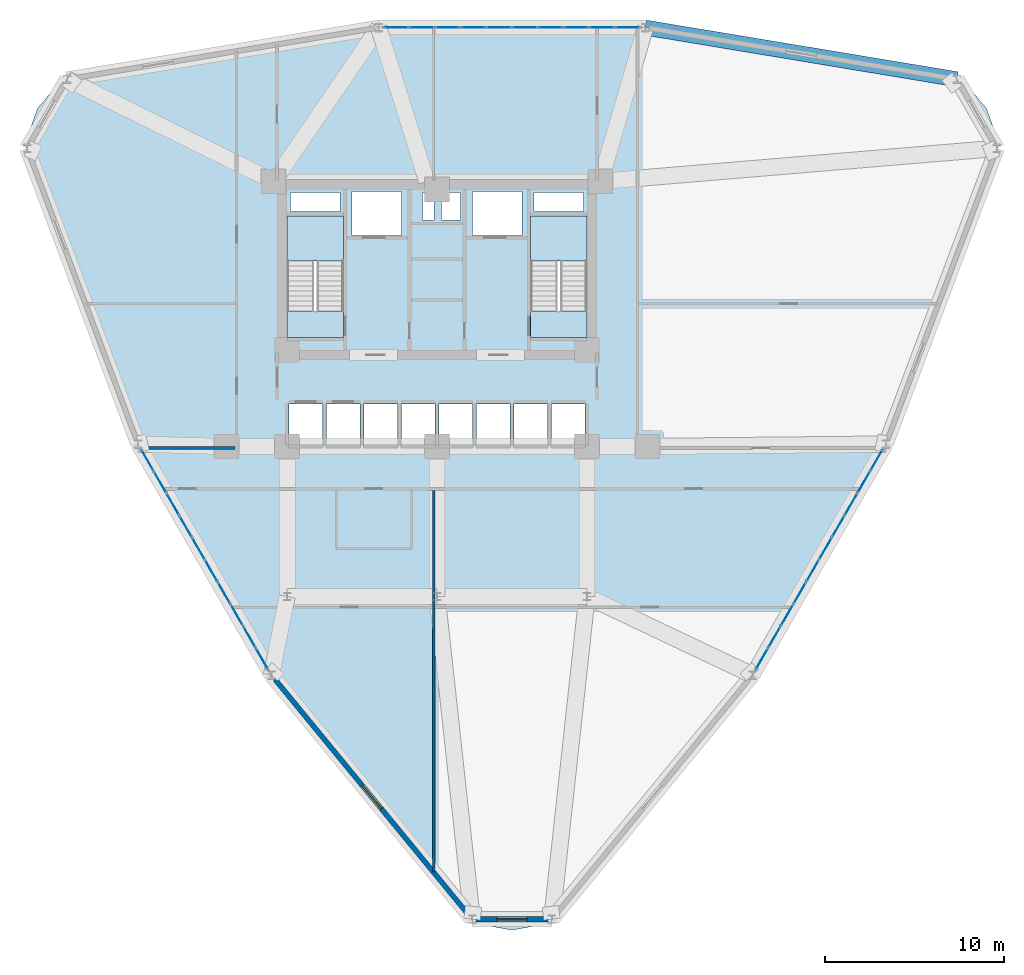
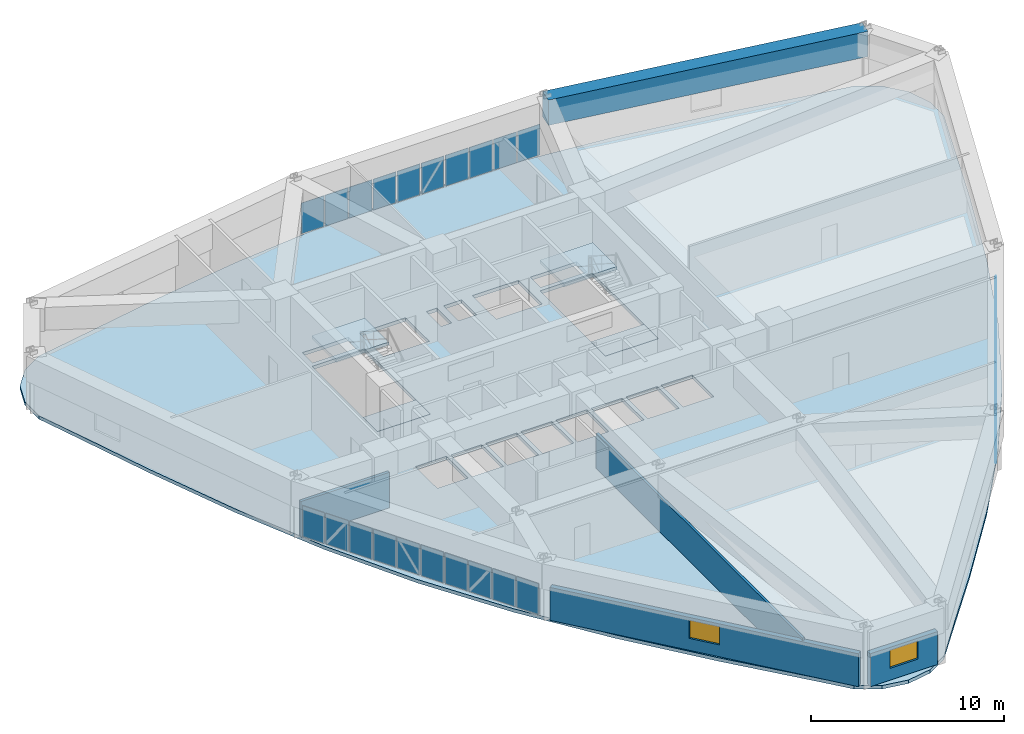
# One storey, part 12 of 17: 30 plates, 5 slabs, 4 walls, 2 windows, 1 beam, 2 openings, 5 elements without a shape of their own.
"""IFC4 building model written with IfcOpenShell, lengths in metres."""

from ifc_helpers import new_model, si_unit, derived_unit, direction, frame, frame_2d, origin, origin_2d, place, context, subcontext, project, spatial, polyline, rectangle, outline, extrude, source, transform, mapped, material, layer, layer_set, material_profile, profile_set, type_object, element, fill, aggregate, save


model = new_model("IFC4")

# Units and contexts
model_context = context("Model", 3, precision=1e-05, world=origin(), true_north=direction((0.0, 1.0)))
body_context = subcontext(model_context, "Body", "Model", "MODEL_VIEW")
ifc_project = project(units=[si_unit("LENGTHUNIT", "METRE"), si_unit("AREAUNIT", "SQUARE_METRE"), si_unit("VOLUMEUNIT", "CUBIC_METRE"), si_unit("PLANEANGLEUNIT", "RADIAN"), si_unit("MASSUNIT", "GRAM", prefix="KILO"), derived_unit("THERMALTRANSMITTANCEUNIT", [(si_unit("POWERUNIT", "WATT"), 1), (si_unit("LENGTHUNIT", "METRE"), -2), (si_unit("THERMODYNAMICTEMPERATUREUNIT", "KELVIN"), -1)])], contexts=[model_context])

# Site, building, storey
site_placement = place(None, origin())
site = spatial("IfcSite", under=ifc_project, at=site_placement, CompositionType="ELEMENT")
building_placement = place(site_placement, origin())
building = spatial("IfcBuilding", under=site, at=building_placement, Name="Korsvarv Bourse and Concert Hall", CompositionType="ELEMENT")
storey_placement = place(building_placement, frame((0.0, 0.0, 83.39990234375)))
storey = spatial("IfcBuildingStorey", under=building, at=storey_placement, Name="L20", CompositionType="ELEMENT", Elevation=83.39990234375)

# Beam
ifc_material_1 = material(Name="Concrete C55/67", Category="concrete")
ifc_material_profile = material_profile(ifc_material_1, rectangle(XDim=0.85009765625, YDim=1.60009765625, at=origin_2d()), Name="RC-BM 850x1600")
ifc_profile_set = profile_set([ifc_material_profile], Name="Concrete C55/67")
beam_type = type_object("IfcBeamType", Name="BM-TR1B", PredefinedType="BEAM", material=ifc_profile_set)
shared_shape_1 = source(origin(), body_context, "Body", "SweptSolid", [
    extrude(rectangle(XDim=0.85009765625, YDim=1.60009765625, at=origin_2d()), origin(), (0.0, 0.0, 1.0), 17.69775390625),
])
beam_placement = place(storey_placement, frame((65.1279296875, 52.971923828125, 2.880126953125), z_axis=(-0.986522993276, 0.163622687109, 0.0), x_axis=(-0.163622687109, -0.986522993276, 0.0)))
element("IfcBeam", 1, at=beam_placement, inside=storey, type_object=beam_type, Name="L20 beam B-TR2", PredefinedType="BEAM", context=body_context, shape_type="MappedRepresentation", body=[
    mapped(shared_shape_1, transform((0.0, 0.0, 0.0), scale=1.0)),
])

# Slabs
ifc_material_2 = material(Name="Precast concrete C45/55", Category="concrete")
ifc_layer_1 = layer(ifc_material_2, 0.199951171875)
ifc_layer_set_1 = layer_set([ifc_layer_1], Name="Precast concrete C45/55")
slab_type_1 = type_object("IfcSlabType", Name="SLB-FLND-T", PredefinedType="LANDING", material=ifc_layer_set_1)
slab_1_placement = place(storey_placement, frame((0.0, 0.0, -0.199951171875)))
element("IfcSlab", 2, at=slab_1_placement, inside=storey, type_object=slab_type_1, Name="L20 Stair ST-T1 Floor Landing Slab", PredefinedType="LANDING", context=body_context, shape_type="SweptSolid", body=[
    extrude(outline(polyline([(30.760009765625, 38.5), (30.760009765625, 40.0), (27.60009765625, 40.0), (27.60009765625, 38.5), (30.760009765625, 38.5)])), origin(), (0.0, 0.0, 1.0), 0.199951171875),
])
slab_2_placement = place(storey_placement, frame((0.0, 0.0, -0.199951171875)))
element("IfcSlab", 3, at=slab_2_placement, inside=storey, type_object=slab_type_1, Name="L20 Stair ST-T2 Floor Landing Slab", PredefinedType="LANDING", context=body_context, shape_type="SweptSolid", body=[
    extrude(outline(polyline([(44.39990234375, 38.5), (44.39990234375, 40.0), (41.239990234375, 40.0), (41.239990234375, 38.5), (44.39990234375, 38.5)])), origin(), (0.0, 0.0, 1.0), 0.199951171875),
])

# Stair, slab
stair_type = type_object("IfcStairType", Name="STR-TYPE-03", PredefinedType="HALF_TURN_STAIR", material=ifc_material_2)
stair_1_placement = place(storey_placement, origin())
stair_1 = element("IfcStair", 4, at=stair_1_placement, inside=storey, type_object=stair_type, Name="L20 Tower West Exit Stair ST-T1", PredefinedType="HALF_TURN_STAIR")
ifc_layer_2 = layer(ifc_material_2, 0.199951171875)
ifc_layer_set_2 = layer_set([ifc_layer_2], Name="Precast concrete C45/55")
slab_type_2 = type_object("IfcSlabType", Name="SLB-ST-LND", PredefinedType="LANDING", material=ifc_layer_set_2)
slab_3_placement = place(storey_placement, frame((0.0, 0.0, 1.75)))
slab_3 = element("IfcSlab", 5, at=slab_3_placement, type_object=slab_type_2, Name="ST-T1 landing 1", PredefinedType="LANDING", context=body_context, shape_type="SweptSolid", body=[
    extrude(outline(polyline([(30.760009765625, 42.800048828125), (30.760009765625, 45.300048828125), (27.60009765625, 45.300048828125), (27.60009765625, 42.800048828125), (30.760009765625, 42.800048828125)])), origin(), (0.0, 0.0, 1.0), 0.2001953125),
])
aggregate(stair_1, [slab_3])

stair_2_placement = place(storey_placement, origin())
stair_2 = element("IfcStair", 6, at=stair_2_placement, inside=storey, type_object=stair_type, Name="L20 Tower East Exit Stair ST-T2", PredefinedType="HALF_TURN_STAIR")
slab_4_placement = place(storey_placement, frame((0.0, 0.0, 1.75)))
slab_4 = element("IfcSlab", 7, at=slab_4_placement, type_object=slab_type_2, Name="ST-T2 landing 1", PredefinedType="LANDING", context=body_context, shape_type="SweptSolid", body=[
    extrude(outline(polyline([(44.39990234375, 42.800048828125), (44.39990234375, 45.300048828125), (41.239990234375, 45.300048828125), (41.239990234375, 42.800048828125), (44.39990234375, 42.800048828125)])), origin(), (0.0, 0.0, 1.0), 0.2001953125),
])
aggregate(stair_2, [slab_4])

# Slab
ifc_material_3 = material(Name="Concrete C45/55", Category="concrete")
ifc_layer_3 = layer(ifc_material_3, 0.219970703125)
ifc_layer_set_3 = layer_set([ifc_layer_3], Name="Concrete C45/55")
slab_type_3 = type_object("IfcSlabType", Name="SLB-TW1", PredefinedType="FLOOR", material=ifc_layer_set_3)
slab_5_placement = place(storey_placement, frame((0.0, 0.0, -0.219970703125)))
element("IfcSlab", 8, at=slab_5_placement, inside=storey, type_object=slab_type_3, Name="L20 tower structural floor slab", PredefinedType="FLOOR", context=body_context, shape_type="SweptSolid", body=[
    extrude(outline(polyline([(66.72119140625, 46.99462890625), (64.767822265625, 41.513427734375), (62.68408203125, 36.133056640625), (60.353271484375, 30.916015625), (57.695556640625, 25.89892578125), (54.679443359375, 21.0888671875), (51.326904296875, 16.461669921875), (47.708984375, 11.966796875), (43.939208984375, 7.53466796875), (43.935302734375, 7.530029296875), (42.8984375, 6.29443359375), (41.6357421875, 5.5654296875), (40.199951171875, 5.312255859375), (38.76416015625, 5.5654296875), (37.501708984375, 6.29443359375), (36.464599609375, 7.530029296875), (36.4609375, 7.53466796875), (32.69091796875, 11.966796875), (29.0732421875, 16.461669921875), (25.720458984375, 21.0888671875), (22.70458984375, 25.89892578125), (20.046875, 30.916015625), (17.7158203125, 36.133056640625), (15.632080078125, 41.513427734375), (13.6787109375, 46.99462890625), (13.6767578125, 47.000244140625), (13.125, 48.51611328125), (13.125, 49.973876953125), (13.623779296875, 51.34375), (14.560791015625, 52.460693359375), (15.823486328125, 53.189697265625), (17.412109375, 53.4697265625), (17.417724609375, 53.470703125), (23.141357421875, 54.51953125), (28.842529296875, 55.4052734375), (34.5263671875, 55.995361328125), (40.199951171875, 56.201904296875), (45.873779296875, 55.995361328125), (51.557373046875, 55.4052734375), (57.2587890625, 54.51953125), (62.982177734375, 53.470703125), (62.988037109375, 53.4697265625), (64.57666015625, 53.189697265625), (65.839111328125, 52.460693359375), (66.7763671875, 51.34375), (67.27490234375, 49.973876953125), (67.27490234375, 48.51611328125), (66.723388671875, 47.000244140625), (66.72119140625, 46.99462890625)]), holes=[polyline([(30.760009765625, 38.5), (30.760009765625, 45.300048828125), (27.60009765625, 45.300048828125), (27.60009765625, 38.5), (30.760009765625, 38.5)]), polyline([(44.39990234375, 38.5), (44.39990234375, 45.300048828125), (41.239990234375, 45.300048828125), (41.239990234375, 38.5), (44.39990234375, 38.5)]), polyline([(31.239990234375, 44.219970703125), (34.0, 44.219970703125), (34.0, 46.679931640625), (31.239990234375, 46.679931640625), (31.239990234375, 44.219970703125)]), polyline([(38.0, 44.219970703125), (40.760009765625, 44.219970703125), (40.760009765625, 46.679931640625), (38.0, 46.679931640625), (38.0, 44.219970703125)]), polyline([(27.719970703125, 32.52001953125), (29.580078125, 32.52001953125), (29.580078125, 34.780029296875), (27.719970703125, 34.780029296875), (27.719970703125, 32.52001953125)]), polyline([(29.820068359375, 32.52001953125), (31.679931640625, 32.52001953125), (31.679931640625, 34.780029296875), (29.820068359375, 34.780029296875), (29.820068359375, 32.52001953125)]), polyline([(31.919921875, 32.52001953125), (33.780029296875, 32.52001953125), (33.780029296875, 34.780029296875), (31.919921875, 34.780029296875), (31.919921875, 32.52001953125)]), polyline([(34.02001953125, 32.52001953125), (35.8798828125, 32.52001953125), (35.8798828125, 34.780029296875), (34.02001953125, 34.780029296875), (34.02001953125, 32.52001953125)]), polyline([(36.1201171875, 32.52001953125), (37.97998046875, 32.52001953125), (37.97998046875, 34.780029296875), (36.1201171875, 34.780029296875), (36.1201171875, 32.52001953125)]), polyline([(38.219970703125, 32.52001953125), (40.080078125, 32.52001953125), (40.080078125, 34.780029296875), (38.219970703125, 34.780029296875), (38.219970703125, 32.52001953125)]), polyline([(40.320068359375, 32.52001953125), (42.179931640625, 32.52001953125), (42.179931640625, 34.780029296875), (40.320068359375, 34.780029296875), (40.320068359375, 32.52001953125)]), polyline([(42.419921875, 32.52001953125), (44.280029296875, 32.52001953125), (44.280029296875, 34.780029296875), (42.419921875, 34.780029296875), (42.419921875, 32.52001953125)]), polyline([(27.800048828125, 45.56005859375), (30.56005859375, 45.56005859375), (30.56005859375, 46.6201171875), (27.800048828125, 46.6201171875), (27.800048828125, 45.56005859375)]), polyline([(41.43994140625, 45.56005859375), (44.199951171875, 45.56005859375), (44.199951171875, 46.6201171875), (41.43994140625, 46.6201171875), (41.43994140625, 45.56005859375)]), polyline([(35.199951171875, 45.080078125), (35.840087890625, 45.080078125), (35.840087890625, 46.6201171875), (35.199951171875, 46.6201171875), (35.199951171875, 45.080078125)]), polyline([(36.239990234375, 45.080078125), (37.320068359375, 45.080078125), (37.320068359375, 46.6201171875), (36.239990234375, 46.6201171875), (36.239990234375, 45.080078125)])]), origin(), (0.0, 0.0, 1.0), 0.219970703125),
])

# Curtain wall, plates
ifc_material_4 = material(Name="Anodised aluminium and triple low-E glazing", Category="glass")
ifc_layer_4 = layer(ifc_material_4, 0.219970703125)
ifc_layer_set_4 = layer_set([ifc_layer_4], Name="Anodised aluminium and triple low-E glazing")
curtain_wall_type = type_object("IfcCurtainWallType", Name="CW-SYS-1", PredefinedType="NOTDEFINED", material=ifc_layer_set_4)
curtain_wall_1_placement = place(storey_placement, origin())
curtain_wall_1 = element("IfcCurtainWall", 9, at=curtain_wall_1_placement, inside=storey, type_object=curtain_wall_type, Name="L20 CW1 curtain wall CW-L20-F03", PredefinedType="NOTDEFINED")
ifc_material_5 = material(Name="Tempered triple insulated low-E architectural glass", Category="glass")
ifc_layer_5 = layer(ifc_material_5, 0.035888671875)
ifc_layer_set_5 = layer_set([ifc_layer_5], Name="Tempered triple insulated low-E architectural glass")
plate_type_1 = type_object("IfcPlateType", Name="CWP-VIS1", PredefinedType="CURTAIN_PANEL", material=ifc_layer_set_5)
shared_shape_2 = source(origin(), body_context, "Body", "SweptSolid", [
    extrude(rectangle(XDim=1.33642578125, YDim=0.035888671875, at=origin_2d()), origin(), (0.0, 0.0, 1.0), 1.949951171875),
])
plate_1_placement = place(storey_placement, frame((46.66845703125, 55.86767578125, 0.06494140625), z_axis=(0.0, 0.0, 1.0), x_axis=(-1.0, 0.0, 0.0)))
plate_1 = element("IfcPlate", 10, at=plate_1_placement, type_object=plate_type_1, Name="CW1 faceted panel 1.1", PredefinedType="CURTAIN_PANEL", context=body_context, shape_type="MappedRepresentation", body=[
    mapped(shared_shape_2, transform((0.0, 0.0, 0.0), scale=1.0)),
])
plate_2_placement = place(storey_placement, frame((33.7314453125, 55.86767578125, 0.06494140625), z_axis=(0.0, 0.0, 1.0), x_axis=(-1.0, 0.0, 0.0)))
plate_2 = element("IfcPlate", 11, at=plate_2_placement, type_object=plate_type_1, Name="CW1 faceted panel 10.1", PredefinedType="CURTAIN_PANEL", context=body_context, shape_type="MappedRepresentation", body=[
    mapped(shared_shape_2, transform((0.0, 0.0, 0.0), scale=1.0)),
])
ifc_material_6 = material(Name="Insulated spandrel glass", Category="glass")
ifc_layer_6 = layer(ifc_material_6, 0.031982421875)
ifc_layer_set_6 = layer_set([ifc_layer_6], Name="Insulated spandrel glass")
plate_type_2 = type_object("IfcPlateType", Name="CWP-SPD1", PredefinedType="CURTAIN_PANEL", material=ifc_layer_set_6)
shared_shape_3 = source(origin(), body_context, "Body", "SweptSolid", [
    extrude(rectangle(XDim=1.371337890625, YDim=0.031982421875, at=origin_2d()), origin(), (0.0, 0.0, 1.0), 1.949951171875),
])
plate_3_placement = place(storey_placement, frame((45.24462890625, 55.86767578125, 0.06494140625), z_axis=(0.0, 0.0, 1.0), x_axis=(-1.0, 0.0, 0.0)))
plate_3 = element("IfcPlate", 12, at=plate_3_placement, type_object=plate_type_2, Name="CW1 spandrel shadow-box panel 2.1", PredefinedType="CURTAIN_PANEL", context=body_context, shape_type="MappedRepresentation", body=[
    mapped(shared_shape_3, transform((0.0, 0.0, 0.0), scale=1.0)),
])
plate_4_placement = place(storey_placement, frame((40.920654296875, 55.86767578125, 0.06494140625), z_axis=(0.0, 0.0, 1.0), x_axis=(-1.0, 0.0, 0.0)))
plate_4 = element("IfcPlate", 13, at=plate_4_placement, type_object=plate_type_2, Name="CW1 spandrel shadow-box panel 5.1", PredefinedType="CURTAIN_PANEL", context=body_context, shape_type="MappedRepresentation", body=[
    mapped(shared_shape_3, transform((0.0, 0.0, 0.0), scale=1.0)),
])
plate_5_placement = place(storey_placement, frame((36.5966796875, 55.86767578125, 0.06494140625), z_axis=(0.0, 0.0, 1.0), x_axis=(-1.0, 0.0, 0.0)))
plate_5 = element("IfcPlate", 14, at=plate_5_placement, type_object=plate_type_2, Name="CW1 spandrel shadow-box panel 8.1", PredefinedType="CURTAIN_PANEL", context=body_context, shape_type="MappedRepresentation", body=[
    mapped(shared_shape_3, transform((0.0, 0.0, 0.0), scale=1.0)),
])
shared_shape_4 = source(origin(), body_context, "Body", "SweptSolid", [
    extrude(rectangle(XDim=1.371337890625, YDim=0.035888671875, at=origin_2d()), origin(), (0.0, 0.0, 1.0), 1.949951171875),
])
plate_6_placement = place(storey_placement, frame((43.803466796875, 55.86767578125, 0.06494140625), z_axis=(0.0, 0.0, 1.0), x_axis=(-1.0, 0.0, 0.0)))
plate_6 = element("IfcPlate", 15, at=plate_6_placement, type_object=plate_type_1, Name="CW1 faceted panel 3.1", PredefinedType="CURTAIN_PANEL", context=body_context, shape_type="MappedRepresentation", body=[
    mapped(shared_shape_4, transform((0.0, 0.0, 0.0), scale=1.0)),
])
plate_7_placement = place(storey_placement, frame((42.362060546875, 55.86767578125, 0.06494140625), z_axis=(0.0, 0.0, 1.0), x_axis=(-1.0, 0.0, 0.0)))
plate_7 = element("IfcPlate", 16, at=plate_7_placement, type_object=plate_type_1, Name="CW1 faceted panel 4.1", PredefinedType="CURTAIN_PANEL", context=body_context, shape_type="MappedRepresentation", body=[
    mapped(shared_shape_4, transform((0.0, 0.0, 0.0), scale=1.0)),
])
plate_8_placement = place(storey_placement, frame((39.479248046875, 55.86767578125, 0.06494140625), z_axis=(0.0, 0.0, 1.0), x_axis=(-1.0, 0.0, 0.0)))
plate_8 = element("IfcPlate", 17, at=plate_8_placement, type_object=plate_type_1, Name="CW1 faceted panel 6.1", PredefinedType="CURTAIN_PANEL", context=body_context, shape_type="MappedRepresentation", body=[
    mapped(shared_shape_4, transform((0.0, 0.0, 0.0), scale=1.0)),
])
plate_9_placement = place(storey_placement, frame((38.0380859375, 55.86767578125, 0.06494140625), z_axis=(0.0, 0.0, 1.0), x_axis=(-1.0, 0.0, 0.0)))
plate_9 = element("IfcPlate", 18, at=plate_9_placement, type_object=plate_type_1, Name="CW1 faceted panel 7.1", PredefinedType="CURTAIN_PANEL", context=body_context, shape_type="MappedRepresentation", body=[
    mapped(shared_shape_4, transform((0.0, 0.0, 0.0), scale=1.0)),
])
plate_10_placement = place(storey_placement, frame((35.1552734375, 55.86767578125, 0.06494140625), z_axis=(0.0, 0.0, 1.0), x_axis=(-1.0, 0.0, 0.0)))
plate_10 = element("IfcPlate", 19, at=plate_10_placement, type_object=plate_type_1, Name="CW1 faceted panel 9.1", PredefinedType="CURTAIN_PANEL", context=body_context, shape_type="MappedRepresentation", body=[
    mapped(shared_shape_4, transform((0.0, 0.0, 0.0), scale=1.0)),
])
aggregate(curtain_wall_1, [plate_1, plate_3, plate_6, plate_7, plate_4, plate_8, plate_9, plate_5, plate_10, plate_2])

curtain_wall_2_placement = place(storey_placement, origin())
curtain_wall_2 = element("IfcCurtainWall", 20, at=curtain_wall_2_placement, inside=storey, type_object=curtain_wall_type, Name="L20 CW1 curtain wall CW-L20-F07", PredefinedType="NOTDEFINED")
shared_shape_5 = source(origin(), body_context, "Body", "SweptSolid", [
    extrude(rectangle(XDim=1.322509765625, YDim=0.035888671875, at=origin_2d()), origin(), (0.0, 0.0, 1.0), 1.949951171875),
])
plate_11_placement = place(storey_placement, frame((19.791015625, 31.614013671875, 0.06494140625), z_axis=(0.0, 0.0, 1.0), x_axis=(0.500002009023, -0.866024243871, 0.0)))
plate_11 = element("IfcPlate", 21, at=plate_11_placement, type_object=plate_type_1, Name="CW1 faceted panel 1.1", PredefinedType="CURTAIN_PANEL", context=body_context, shape_type="MappedRepresentation", body=[
    mapped(shared_shape_5, transform((0.0, 0.0, 0.0), scale=1.0)),
])
plate_12_placement = place(storey_placement, frame((26.197021484375, 20.518310546875, 0.06494140625), z_axis=(0.0, 0.0, 1.0), x_axis=(0.500002009023, -0.866024243871, 0.0)))
plate_12 = element("IfcPlate", 22, at=plate_12_placement, type_object=plate_type_1, Name="CW1 faceted panel 10.1", PredefinedType="CURTAIN_PANEL", context=body_context, shape_type="MappedRepresentation", body=[
    mapped(shared_shape_5, transform((0.0, 0.0, 0.0), scale=1.0)),
])

curtain_wall_3_placement = place(storey_placement, origin())
curtain_wall_3 = element("IfcCurtainWall", 23, at=curtain_wall_3_placement, inside=storey, type_object=curtain_wall_type, Name="L20 CW1 curtain wall CW-L20-F11", PredefinedType="NOTDEFINED")
plate_13_placement = place(storey_placement, frame((54.202880859375, 20.518310546875, 0.06494140625), z_axis=(0.0, 0.0, 1.0), x_axis=(0.500002009023, 0.866024243871, 0.0)))
plate_13 = element("IfcPlate", 24, at=plate_13_placement, type_object=plate_type_1, Name="CW1 faceted panel 1.1", PredefinedType="CURTAIN_PANEL", context=body_context, shape_type="MappedRepresentation", body=[
    mapped(shared_shape_5, transform((0.0, 0.0, 0.0), scale=1.0)),
])
plate_14_placement = place(storey_placement, frame((60.60888671875, 31.614013671875, 0.06494140625), z_axis=(0.0, 0.0, 1.0), x_axis=(0.500002009023, 0.866024243871, 0.0)))
plate_14 = element("IfcPlate", 25, at=plate_14_placement, type_object=plate_type_1, Name="CW1 faceted panel 10.1", PredefinedType="CURTAIN_PANEL", context=body_context, shape_type="MappedRepresentation", body=[
    mapped(shared_shape_5, transform((0.0, 0.0, 0.0), scale=1.0)),
])

# Plate
shared_shape_6 = source(origin(), body_context, "Body", "SweptSolid", [
    extrude(rectangle(XDim=1.357421875, YDim=0.031982421875, at=origin_2d()), origin(), (0.0, 0.0, 1.0), 1.949951171875),
])
plate_15_placement = place(storey_placement, frame((20.49609375, 30.392822265625, 0.06494140625), z_axis=(0.0, 0.0, 1.0), x_axis=(0.500002009023, -0.866024243871, 0.0)))
plate_15 = element("IfcPlate", 26, at=plate_15_placement, type_object=plate_type_2, Name="CW1 spandrel shadow-box panel 2.1", PredefinedType="CURTAIN_PANEL", context=body_context, shape_type="MappedRepresentation", body=[
    mapped(shared_shape_6, transform((0.0, 0.0, 0.0), scale=1.0)),
])

plate_16_placement = place(storey_placement, frame((22.63720703125, 26.684326171875, 0.06494140625), z_axis=(0.0, 0.0, 1.0), x_axis=(0.500002009023, -0.866024243871, 0.0)))
plate_16 = element("IfcPlate", 27, at=plate_16_placement, type_object=plate_type_2, Name="CW1 spandrel shadow-box panel 5.1", PredefinedType="CURTAIN_PANEL", context=body_context, shape_type="MappedRepresentation", body=[
    mapped(shared_shape_6, transform((0.0, 0.0, 0.0), scale=1.0)),
])

plate_17_placement = place(storey_placement, frame((24.7783203125, 22.9755859375, 0.06494140625), z_axis=(0.0, 0.0, 1.0), x_axis=(0.500002009023, -0.866024243871, 0.0)))
plate_17 = element("IfcPlate", 28, at=plate_17_placement, type_object=plate_type_2, Name="CW1 spandrel shadow-box panel 8.1", PredefinedType="CURTAIN_PANEL", context=body_context, shape_type="MappedRepresentation", body=[
    mapped(shared_shape_6, transform((0.0, 0.0, 0.0), scale=1.0)),
])

plate_18_placement = place(storey_placement, frame((54.907958984375, 21.739501953125, 0.06494140625), z_axis=(0.0, 0.0, 1.0), x_axis=(0.500002009023, 0.866024243871, 0.0)))
plate_18 = element("IfcPlate", 29, at=plate_18_placement, type_object=plate_type_2, Name="CW1 spandrel shadow-box panel 2.1", PredefinedType="CURTAIN_PANEL", context=body_context, shape_type="MappedRepresentation", body=[
    mapped(shared_shape_6, transform((0.0, 0.0, 0.0), scale=1.0)),
])

plate_19_placement = place(storey_placement, frame((57.049072265625, 25.447998046875, 0.06494140625), z_axis=(0.0, 0.0, 1.0), x_axis=(0.500002009023, 0.866024243871, 0.0)))
plate_19 = element("IfcPlate", 30, at=plate_19_placement, type_object=plate_type_2, Name="CW1 spandrel shadow-box panel 5.1", PredefinedType="CURTAIN_PANEL", context=body_context, shape_type="MappedRepresentation", body=[
    mapped(shared_shape_6, transform((0.0, 0.0, 0.0), scale=1.0)),
])

plate_20_placement = place(storey_placement, frame((59.190185546875, 29.15673828125, 0.06494140625), z_axis=(0.0, 0.0, 1.0), x_axis=(0.500002009023, 0.866024243871, 0.0)))
plate_20 = element("IfcPlate", 31, at=plate_20_placement, type_object=plate_type_2, Name="CW1 spandrel shadow-box panel 8.1", PredefinedType="CURTAIN_PANEL", context=body_context, shape_type="MappedRepresentation", body=[
    mapped(shared_shape_6, transform((0.0, 0.0, 0.0), scale=1.0)),
])

shared_shape_7 = source(origin(), body_context, "Body", "SweptSolid", [
    extrude(rectangle(XDim=1.357421875, YDim=0.035888671875, at=origin_2d()), origin(), (0.0, 0.0, 1.0), 1.949951171875),
])
plate_21_placement = place(storey_placement, frame((21.209716796875, 29.15673828125, 0.06494140625), z_axis=(0.0, 0.0, 1.0), x_axis=(0.500002009023, -0.866024243871, 0.0)))
plate_21 = element("IfcPlate", 32, at=plate_21_placement, type_object=plate_type_1, Name="CW1 faceted panel 3.1", PredefinedType="CURTAIN_PANEL", context=body_context, shape_type="MappedRepresentation", body=[
    mapped(shared_shape_7, transform((0.0, 0.0, 0.0), scale=1.0)),
])

plate_22_placement = place(storey_placement, frame((21.92333984375, 27.92041015625, 0.06494140625), z_axis=(0.0, 0.0, 1.0), x_axis=(0.500002009023, -0.866024243871, 0.0)))
plate_22 = element("IfcPlate", 33, at=plate_22_placement, type_object=plate_type_1, Name="CW1 faceted panel 4.1", PredefinedType="CURTAIN_PANEL", context=body_context, shape_type="MappedRepresentation", body=[
    mapped(shared_shape_7, transform((0.0, 0.0, 0.0), scale=1.0)),
])

plate_23_placement = place(storey_placement, frame((23.350830078125, 25.447998046875, 0.06494140625), z_axis=(0.0, 0.0, 1.0), x_axis=(0.500002009023, -0.866024243871, 0.0)))
plate_23 = element("IfcPlate", 34, at=plate_23_placement, type_object=plate_type_1, Name="CW1 faceted panel 6.1", PredefinedType="CURTAIN_PANEL", context=body_context, shape_type="MappedRepresentation", body=[
    mapped(shared_shape_7, transform((0.0, 0.0, 0.0), scale=1.0)),
])

plate_24_placement = place(storey_placement, frame((24.064697265625, 24.2119140625, 0.06494140625), z_axis=(0.0, 0.0, 1.0), x_axis=(0.500002009023, -0.866024243871, 0.0)))
plate_24 = element("IfcPlate", 35, at=plate_24_placement, type_object=plate_type_1, Name="CW1 faceted panel 7.1", PredefinedType="CURTAIN_PANEL", context=body_context, shape_type="MappedRepresentation", body=[
    mapped(shared_shape_7, transform((0.0, 0.0, 0.0), scale=1.0)),
])

plate_25_placement = place(storey_placement, frame((25.4921875, 21.739501953125, 0.06494140625), z_axis=(0.0, 0.0, 1.0), x_axis=(0.500002009023, -0.866024243871, 0.0)))
plate_25 = element("IfcPlate", 36, at=plate_25_placement, type_object=plate_type_1, Name="CW1 faceted panel 9.1", PredefinedType="CURTAIN_PANEL", context=body_context, shape_type="MappedRepresentation", body=[
    mapped(shared_shape_7, transform((0.0, 0.0, 0.0), scale=1.0)),
])

aggregate(curtain_wall_2, [plate_11, plate_15, plate_21, plate_22, plate_16, plate_23, plate_24, plate_17, plate_25, plate_12])

plate_26_placement = place(storey_placement, frame((55.62158203125, 22.9755859375, 0.06494140625), z_axis=(0.0, 0.0, 1.0), x_axis=(0.500002009023, 0.866024243871, 0.0)))
plate_26 = element("IfcPlate", 37, at=plate_26_placement, type_object=plate_type_1, Name="CW1 faceted panel 3.1", PredefinedType="CURTAIN_PANEL", context=body_context, shape_type="MappedRepresentation", body=[
    mapped(shared_shape_7, transform((0.0, 0.0, 0.0), scale=1.0)),
])

plate_27_placement = place(storey_placement, frame((56.33544921875, 24.2119140625, 0.06494140625), z_axis=(0.0, 0.0, 1.0), x_axis=(0.500002009023, 0.866024243871, 0.0)))
plate_27 = element("IfcPlate", 38, at=plate_27_placement, type_object=plate_type_1, Name="CW1 faceted panel 4.1", PredefinedType="CURTAIN_PANEL", context=body_context, shape_type="MappedRepresentation", body=[
    mapped(shared_shape_7, transform((0.0, 0.0, 0.0), scale=1.0)),
])

plate_28_placement = place(storey_placement, frame((57.7626953125, 26.684326171875, 0.06494140625), z_axis=(0.0, 0.0, 1.0), x_axis=(0.500002009023, 0.866024243871, 0.0)))
plate_28 = element("IfcPlate", 39, at=plate_28_placement, type_object=plate_type_1, Name="CW1 faceted panel 6.1", PredefinedType="CURTAIN_PANEL", context=body_context, shape_type="MappedRepresentation", body=[
    mapped(shared_shape_7, transform((0.0, 0.0, 0.0), scale=1.0)),
])

plate_29_placement = place(storey_placement, frame((58.4765625, 27.92041015625, 0.06494140625), z_axis=(0.0, 0.0, 1.0), x_axis=(0.500002009023, 0.866024243871, 0.0)))
plate_29 = element("IfcPlate", 40, at=plate_29_placement, type_object=plate_type_1, Name="CW1 faceted panel 7.1", PredefinedType="CURTAIN_PANEL", context=body_context, shape_type="MappedRepresentation", body=[
    mapped(shared_shape_7, transform((0.0, 0.0, 0.0), scale=1.0)),
])

plate_30_placement = place(storey_placement, frame((59.904052734375, 30.392822265625, 0.06494140625), z_axis=(0.0, 0.0, 1.0), x_axis=(0.500002009023, 0.866024243871, 0.0)))
plate_30 = element("IfcPlate", 41, at=plate_30_placement, type_object=plate_type_1, Name="CW1 faceted panel 9.1", PredefinedType="CURTAIN_PANEL", context=body_context, shape_type="MappedRepresentation", body=[
    mapped(shared_shape_7, transform((0.0, 0.0, 0.0), scale=1.0)),
])

aggregate(curtain_wall_3, [plate_13, plate_18, plate_26, plate_27, plate_19, plate_28, plate_29, plate_20, plate_30, plate_14])

# Wall, opening, window
ifc_material_7 = material(Name="Precast concrete C45/55 with terracotta rainscreen", Category="concrete")
ifc_layer_7 = layer(ifc_material_7, 0.300048828125)
ifc_layer_set_7 = layer_set([ifc_layer_7], Name="Precast concrete C45/55 with terracotta rainscreen")
wall_type_1 = type_object("IfcWallType", Name="WL-EXT-TC1", PredefinedType="SOLIDWALL", material=ifc_layer_set_7)
wall_1_placement = place(storey_placement, frame((38.182861328125, 5.92578125, 0.0), z_axis=(0.0, 0.0, 1.0), x_axis=(1.0, 0.0, 0.0)))
wall_1 = element("IfcWall", 42, at=wall_1_placement, inside=storey, type_object=wall_type_1, Name="L20 terracotta exterior wall EW-L20-B09", PredefinedType="SOLIDWALL", context=body_context, shape_type="SweptSolid", body=[
    extrude(rectangle(XDim=4.034423828125, YDim=0.300048828125, at=frame_2d((2.01708984375, 0.0))), origin(), (0.0, 0.0, 1.0), 2.080078125),
])
opening_1_placement = place(wall_1_placement, frame((1.167236328125, 0.0, 0.75)))
opening_1 = element("IfcOpeningElement", 43, at=opening_1_placement, cuts=wall_1, Name="Opening W-06", PredefinedType="OPENING", context=body_context, shape_type="SweptSolid", body=[
    extrude(rectangle(XDim=1.699951171875, YDim=1.14990234375, at=frame_2d((0.85009765625, 0.574951171875))), frame((0.0, 0.16015625, 0.0), z_axis=(0.0, -1.0, 0.0), x_axis=(1.0, 0.0, 0.0)), (0.0, 0.0, 1.0), 0.320068359375),
])
ifc_material_8 = material(Name="Thermally broken aluminium frame with triple low-E glass", Category="glass")
window_type = type_object("IfcWindowType", Name="WIN-TW1-1700X1150", PartitioningType="SINGLE_PANEL", PredefinedType="WINDOW", material=ifc_material_8)
window_1_placement = place(opening_1_placement, origin())
window_1 = element("IfcWindow", 44, at=window_1_placement, inside=storey, type_object=window_type, Name="L20 punched facade window W-06", OverallHeight=1.14990234375, OverallWidth=1.699951171875, PartitioningType="SINGLE_PANEL", PredefinedType="WINDOW", context=body_context, shape_type="SweptSolid", body=[
    extrude(rectangle(XDim=1.699951171875, YDim=1.14990234375, at=frame_2d((0.85009765625, 0.574951171875))), frame((0.0, 0.030029296875, 0.0), z_axis=(0.0, -1.0, 0.0), x_axis=(1.0, 0.0, 0.0)), (0.0, 0.0, 1.0), 0.06005859375),
])
fill(opening_1, window_1)

ifc_material_9 = material(Name="Precast concrete C45/55 with fluted terracotta pier", Category="concrete")
ifc_layer_8 = layer(ifc_material_9, 0.280029296875)
ifc_layer_set_8 = layer_set([ifc_layer_8], Name="Precast concrete C45/55 with fluted terracotta pier")
wall_type_2 = type_object("IfcWallType", Name="WL-EXT-TC2", PredefinedType="SOLIDWALL", material=ifc_layer_set_8)
wall_2_placement = place(storey_placement, frame((26.92724609375, 19.356201171875, 0.0), z_axis=(0.0, 0.0, 1.0), x_axis=(0.634956540438, -0.772547857259, 0.0)))
wall_2 = element("IfcWall", 45, at=wall_2_placement, inside=storey, type_object=wall_type_2, Name="L20 terracotta exterior wall EW-L20-B08", PredefinedType="SOLIDWALL", context=body_context, shape_type="SweptSolid", body=[
    extrude(rectangle(XDim=17.0712890625, YDim=0.280029296875, at=frame_2d((8.53564453125, 0.0))), origin(), (0.0, 0.0, 1.0), 2.080078125),
])
opening_2_placement = place(wall_2_placement, frame((7.685546875, 0.0, 0.75)))
opening_2 = element("IfcOpeningElement", 46, at=opening_2_placement, cuts=wall_2, Name="Opening W-06", PredefinedType="OPENING", context=body_context, shape_type="SweptSolid", body=[
    extrude(rectangle(XDim=1.699951171875, YDim=1.14990234375, at=frame_2d((0.85009765625, 0.574951171875))), frame((0.0, 0.14990234375, 0.0), z_axis=(0.0, -1.0, 0.0), x_axis=(1.0, 0.0, 0.0)), (0.0, 0.0, 1.0), 0.300048828125),
])
window_2_placement = place(opening_2_placement, origin())
window_2 = element("IfcWindow", 47, at=window_2_placement, inside=storey, type_object=window_type, Name="L20 punched facade window W-06", OverallHeight=1.14990234375, OverallWidth=1.699951171875, PartitioningType="SINGLE_PANEL", PredefinedType="WINDOW", context=body_context, shape_type="SweptSolid", body=[
    extrude(rectangle(XDim=1.699951171875, YDim=1.14990234375, at=frame_2d((0.85009765625, 0.574951171875))), frame((0.0, 0.030029296875, 0.0), z_axis=(0.0, -1.0, 0.0), x_axis=(1.0, 0.0, 0.0)), (0.0, 0.0, 1.0), 0.06005859375),
])
fill(opening_2, window_2)

# Walls
ifc_material_10 = material(Name="Double-stud fire-rated acoustic partition", Category="gypsum")
ifc_layer_9 = layer(ifc_material_10, 0.159912109375)
ifc_layer_set_9 = layer_set([ifc_layer_9], Name="Double-stud fire-rated acoustic partition")
wall_type_3 = type_object("IfcWallType", Name="WL-INT-EI60", PredefinedType="PARTITIONING", material=ifc_layer_set_9)
wall_3_placement = place(storey_placement, frame((19.40625, 32.31494140625, 0.0), z_axis=(0.0, 0.0, 1.0), x_axis=(1.0, 0.0, 0.0)))
element("IfcWall", 48, at=wall_3_placement, inside=storey, type_object=wall_type_3, Name="L20 interior partition wall W-L20-TCOR-07", PredefinedType="PARTITIONING", context=body_context, shape_type="SweptSolid", body=[
    extrude(rectangle(XDim=5.286865234375, YDim=0.159912109375, at=frame_2d((2.6435546875, 0.0))), origin(), (0.0, 0.0, 1.0), 2.239990234375),
])
ifc_material_11 = material(Name="Insulated steel-stud office acoustic partition", Category="gypsum")
ifc_layer_10 = layer(ifc_material_11, 0.139892578125)
ifc_layer_set_10 = layer_set([ifc_layer_10], Name="Insulated steel-stud office acoustic partition")
wall_type_4 = type_object("IfcWallType", Name="WL-INT-P1", PredefinedType="PARTITIONING", material=ifc_layer_set_10)
wall_4_placement = place(storey_placement, frame((35.804931640625, 8.57470703125, 0.0), z_axis=(0.0, 0.0, 1.0), x_axis=(0.0, 1.0, 0.0)))
element("IfcWall", 49, at=wall_4_placement, inside=storey, type_object=wall_type_4, Name="L20 interior partition wall W-L20-TCOR-09", PredefinedType="PARTITIONING", context=body_context, shape_type="SweptSolid", body=[
    extrude(rectangle(XDim=21.368408203125, YDim=0.139892578125, at=frame_2d((10.68408203125, 0.0))), origin(), (0.0, 0.0, 1.0), 2.239990234375),
])

save(model, "model.ifc")
